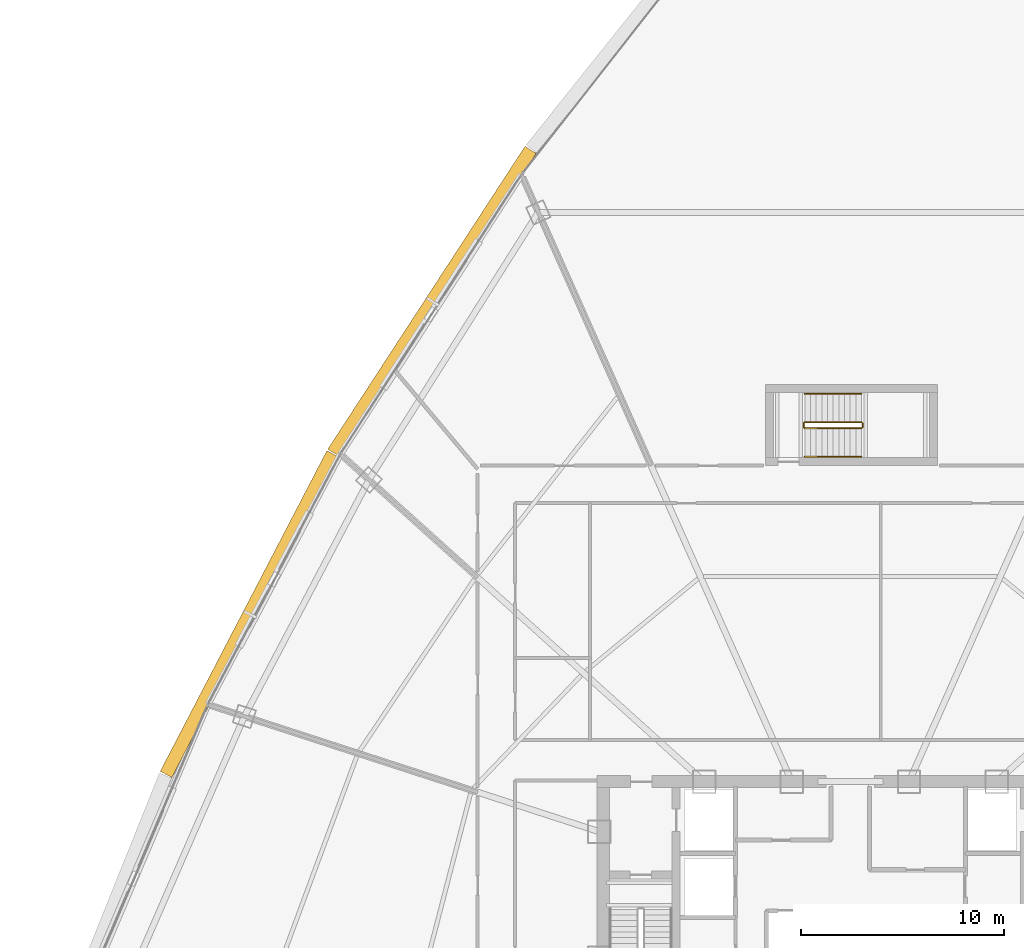
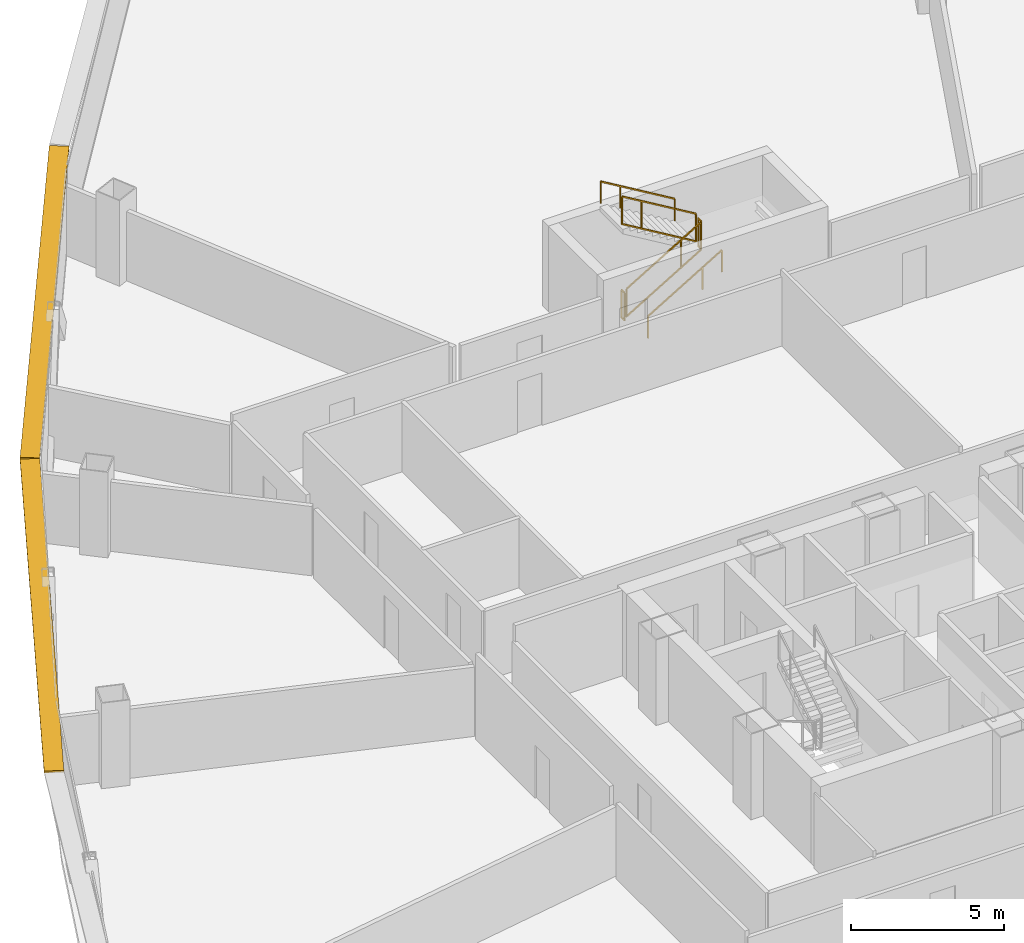
# One storey, part 41 of 42: 6 railings, 2 shading devices.
"""IFC4 building model written with IfcOpenShell, lengths in metres."""

import ifcopenshell
import ifcopenshell.guid

model = None  # the IFC model being written
_history = None  # IfcOwnerHistory: only IFC2X3 demands one
_inside = {}  # id of a spatial element -> (the spatial element, [elements in it])
_under = {}  # id of a project, library or spatial element -> (it, [spatial elements below it])
_declared = {}  # id of a project -> (the project, [libraries it declares])
_typed = {}  # id of a type object -> (the type object, [elements of that type])
_made_of = {}  # id of a material, layer set ... -> (it, [elements and type objects made of it])


def new_model(schema):
    """Start an empty IFC model of exactly this schema.

    Asked for "IFC4X3", IfcOpenShell would pick the latest addendum, in which some entities
    have other attributes; the version numbers below select the first issue.
    IFC2X3 requires an IfcOwnerHistory on every rooted entity: one is made here for all.
    """
    global model, _history
    if schema == "IFC4X3":
        model = ifcopenshell.file(schema_version=(4, 3, 0, 0))
    else:
        model = ifcopenshell.file(schema=schema)
    _inside.clear()
    _under.clear()
    _declared.clear()
    _typed.clear()
    _made_of.clear()
    _history = None
    if model.schema == "IFC2X3":
        org = make("IfcOrganization", Name="unknown")
        user = make(
            "IfcPersonAndOrganization",
            ThePerson=make("IfcPerson", FamilyName="unknown"),
            TheOrganization=org,
        )
        app = make(
            "IfcApplication",
            ApplicationDeveloper=org,
            Version="unknown",
            ApplicationFullName="unknown",
            ApplicationIdentifier="unknown",
        )
        _history = make(
            "IfcOwnerHistory",
            OwningUser=user,
            OwningApplication=app,
            ChangeAction="ADDED",
            CreationDate=0,
        )
    return model


def make(cls, **values):
    """One entity of the class cls with the attributes given. An attribute that is None is left unset."""
    return model.create_entity(
        cls, **{name: value for name, value in values.items() if value is not None}
    )


def rooted(cls, **values):
    """An entity with a GlobalId (a new one), such as an element, a storey or a relation."""
    return make(cls, GlobalId=ifcopenshell.guid.new(), OwnerHistory=_history, **values)


def si_unit(unit_type, name, prefix=None):
    """IfcSIUnit, for example si_unit("LENGTHUNIT", "METRE", prefix="MILLI")."""
    return make("IfcSIUnit", UnitType=unit_type, Prefix=prefix, Name=name)


def assignment(units):
    """IfcUnitAssignment: the units of a project."""
    return None if units is None else make("IfcUnitAssignment", Units=units)


def point(xyz):
    """IfcCartesianPoint."""
    return None if xyz is None else make("IfcCartesianPoint", Coordinates=xyz)


def direction(xyz):
    """IfcDirection."""
    return None if xyz is None else make("IfcDirection", DirectionRatios=xyz)


def frame(location, z_axis=None, x_axis=None):
    """IfcAxis2Placement3D, a coordinate frame: its origin and axes. An axis left out is left unset."""
    return make(
        "IfcAxis2Placement3D",
        Location=point(location),
        Axis=direction(z_axis),
        RefDirection=direction(x_axis),
    )


def frame_2d(location, x_axis=None):
    """IfcAxis2Placement2D, a coordinate frame in the plane: its origin and x axis."""
    return make(
        "IfcAxis2Placement2D", Location=point(location), RefDirection=direction(x_axis)
    )


def origin():
    """The frame at (0, 0, 0) with its axes left unset."""
    return frame((0.0, 0.0, 0.0))


def origin_2d():
    """The frame at (0, 0) in the plane with its x axis left unset."""
    return frame_2d((0.0, 0.0))


def place(relative_to, where):
    """IfcLocalPlacement: puts the frame where relative to a parent placement (None: the world)."""
    return make(
        "IfcLocalPlacement", PlacementRelTo=relative_to, RelativePlacement=where
    )


def context(
    kind, dimensions, precision=None, world=None, true_north=None, identifier=None
):
    """IfcGeometricRepresentationContext, for example the 3D "Model" context."""
    return make(
        "IfcGeometricRepresentationContext",
        ContextIdentifier=identifier,
        ContextType=kind,
        CoordinateSpaceDimension=dimensions,
        Precision=precision,
        WorldCoordinateSystem=world,
        TrueNorth=true_north,
    )


def subcontext(parent, identifier, kind, view, scale=None):
    """IfcGeometricRepresentationSubContext, for example "Body" below "Model"."""
    return make(
        "IfcGeometricRepresentationSubContext",
        ContextIdentifier=identifier,
        ContextType=kind,
        ParentContext=parent,
        TargetScale=scale,
        TargetView=view,
    )


def project(units=None, contexts=None):
    """IfcProject with its units and contexts."""
    return rooted(
        "IfcProject",
        Name="project",
        RepresentationContexts=contexts,
        UnitsInContext=assignment(units),
    )


def spatial(cls, under=None, at=None, **own):
    """A site, building, storey or space (cls), placed at a placement, below another one or the project."""
    s = rooted(cls, ObjectPlacement=at, **own)
    if under is not None:
        _under.setdefault(under.id(), (under, []))[1].append(s)
    return s


def profile(cls, at=None, kind="AREA", **sizes):
    """A parametric profile (cls). Its sizes go by their IFC names, for example OverallWidth=200.0."""
    return make(cls, ProfileType=kind, Position=at, **sizes)


def rectangle(**sizes):
    """IfcRectangleProfileDef."""
    return profile("IfcRectangleProfileDef", **sizes)


def extrude(swept, where, along, depth):
    """IfcExtrudedAreaSolid: the profile swept, set in the frame where, extruded along a direction by depth."""
    return make(
        "IfcExtrudedAreaSolid",
        SweptArea=swept,
        Position=where,
        ExtrudedDirection=direction(along),
        Depth=depth,
    )


def shape(context_of_items, identifier, shape_type, items):
    """IfcShapeRepresentation: the items that make up one representation, for example the "Body"."""
    return make(
        "IfcShapeRepresentation",
        ContextOfItems=context_of_items,
        RepresentationIdentifier=identifier,
        RepresentationType=shape_type,
        Items=items,
    )


def source(mapping_origin, context_of_items, identifier, shape_type, items):
    """IfcRepresentationMap: a shape defined once, which mapped items show again and again."""
    return make(
        "IfcRepresentationMap",
        MappingOrigin=mapping_origin,
        MappedRepresentation=shape(context_of_items, identifier, shape_type, items),
    )


def transform(
    local_origin,
    x_axis=None,
    y_axis=None,
    z_axis=None,
    scale=None,
    scale2=None,
    scale3=None,
    uniform=True,
):
    """IfcCartesianTransformationOperator3D, or its non-uniform kind. x_axis, y_axis, z_axis: its Axis1, 2, 3."""
    if uniform:
        return make(
            "IfcCartesianTransformationOperator3D",
            Axis1=direction(x_axis),
            Axis2=direction(y_axis),
            LocalOrigin=point(local_origin),
            Scale=scale,
            Axis3=direction(z_axis),
        )
    return make(
        "IfcCartesianTransformationOperator3DnonUniform",
        Axis1=direction(x_axis),
        Axis2=direction(y_axis),
        LocalOrigin=point(local_origin),
        Scale=scale,
        Axis3=direction(z_axis),
        Scale2=scale2,
        Scale3=scale3,
    )


def mapped(mapping_source, mapping_target):
    """IfcMappedItem: shows the shape of a source again, moved by a transform."""
    return make(
        "IfcMappedItem", MappingSource=mapping_source, MappingTarget=mapping_target
    )


def material(Name=None, Category=None):
    """IfcMaterial."""
    return make("IfcMaterial", Name=Name, Category=Category)


def layer(
    of_material, thickness, ventilated=None, Name=None, Category=None, Priority=None
):
    """IfcMaterialLayer: one layer of a wall or slab, of a material (None: an air gap)."""
    return make(
        "IfcMaterialLayer",
        Material=of_material,
        LayerThickness=thickness,
        IsVentilated=ventilated,
        Name=Name,
        Category=Category,
        Priority=Priority,
    )


def layer_set(layers, Name=None):
    """IfcMaterialLayerSet."""
    return make("IfcMaterialLayerSet", MaterialLayers=layers, LayerSetName=Name)


def made_of(thing, what):
    """Note that an element or type object is made of a material, layer set ...; save() writes the relation."""
    if what is not None:
        _made_of.setdefault(what.id(), (what, []))[1].append(thing)
    return thing


def type_object(cls, material=None, **own):
    """A type object (cls), such as IfcWallType, which elements share."""
    return made_of(rooted(cls, **own), material)


def element(
    cls,
    number,
    at=None,
    inside=None,
    cuts=None,
    type_object=None,
    material=None,
    context=None,
    identifier="Body",
    shape_type=None,
    held_by="IfcProductDefinitionShape",
    body=None,
    shapes=None,
    **own,
):
    """One element of the class cls, such as IfcWall. Its Tag is "e" and its number.

    at: its placement. inside: the storey or other place that contains it. cuts: it is an
    opening in that element (IfcRelVoidsElement). A single representation is given by context,
    identifier, shape_type and body (its items); several are given by shapes. held_by: the class
    of the entity that holds the representations. save() writes the other relations.
    """
    e = rooted(cls, Tag="e%d" % number, ObjectPlacement=at, **own)
    if body is not None:
        shapes = [shape(context, identifier, shape_type, body)]
    if shapes is not None:
        e.Representation = make(held_by, Representations=shapes)
    if inside is not None:
        _inside.setdefault(inside.id(), (inside, []))[1].append(e)
    if cuts is not None:
        rooted(
            "IfcRelVoidsElement", RelatingBuildingElement=cuts, RelatedOpeningElement=e
        )
    if type_object is not None:
        _typed.setdefault(type_object.id(), (type_object, []))[1].append(e)
    return made_of(e, material)


def aggregate(whole, parts):
    """IfcRelAggregates: a whole, such as a stair, and the parts it consists of."""
    return rooted("IfcRelAggregates", RelatingObject=whole, RelatedObjects=parts)


def save(model, path):
    """Write the relations noted so far, then the file.

    IfcRelAggregates (storeys below a building ...), IfcRelContainedInSpatialStructure (elements
    in a storey), IfcRelDefinesByType, IfcRelAssociatesMaterial and IfcRelDeclares: one each for
    every whole, place, type object, material and project.
    """
    for whole, parts in _under.values():
        aggregate(whole, parts)
    for where, things in _inside.values():
        rooted(
            "IfcRelContainedInSpatialStructure",
            RelatedElements=things,
            RelatingStructure=where,
        )
    for kind, things in _typed.values():
        rooted("IfcRelDefinesByType", RelatedObjects=things, RelatingType=kind)
    for what, things in _made_of.values():
        rooted("IfcRelAssociatesMaterial", RelatedObjects=things, RelatingMaterial=what)
    for by, libraries in _declared.values():
        rooted("IfcRelDeclares", RelatingContext=by, RelatedDefinitions=libraries)
    model.write(path)


model = new_model("IFC4")

# Units and contexts
model_context = context("Model", 3, precision=1e-05, world=origin(), true_north=direction((0.0, 1.0)))
body_context = subcontext(model_context, "Body", "Model", "MODEL_VIEW")
ifc_project = project(units=[si_unit("LENGTHUNIT", "METRE"), si_unit("AREAUNIT", "SQUARE_METRE"), si_unit("VOLUMEUNIT", "CUBIC_METRE"), si_unit("PLANEANGLEUNIT", "RADIAN"), si_unit("MASSUNIT", "GRAM", prefix="KILO"), si_unit("THERMODYNAMICTEMPERATUREUNIT", "KELVIN"), si_unit("POWERUNIT", "WATT")], contexts=[model_context])

# Site, building, storey
site_placement = place(None, origin())
site = spatial("IfcSite", under=ifc_project, at=site_placement, CompositionType="ELEMENT")
building_placement = place(site_placement, origin())
building = spatial("IfcBuilding", under=site, at=building_placement, Name="Yunzhuo Pagoda Commons", CompositionType="ELEMENT")
storey_placement = place(building_placement, frame((0.0, 0.0, 133.510009765625)))
storey = spatial("IfcBuildingStorey", under=building, at=storey_placement, Name="L33", CompositionType="ELEMENT", Elevation=133.510009765625)

# Railings
ifc_material = material(Name="Anodized aluminium 6063-T6", Category="aluminium")
railing_type_1 = type_object("IfcRailingType", Name="GR-ST3 North Well Guardrail 1155", PredefinedType="GUARDRAIL", material=ifc_material)
railing_1_placement = place(storey_placement, frame((45.75, 57.64990234375, 0.167236328125)))
element("IfcRailing", 1, at=railing_1_placement, inside=storey, type_object=railing_type_1, Name="L33 ST3 stair guard 1", PredefinedType="GUARDRAIL", context=body_context, shape_type="SweptSolid", body=[
    extrude(rectangle(XDim=0.048095703125, YDim=0.048095703125, at=origin_2d()), frame((0.0, 0.0, 1.1259765625), z_axis=(0.858462256164, 0.0, 0.512876744201), x_axis=(0.0, 1.0, 0.0)), (0.0, 0.0, 1.0), 3.26171875),
    extrude(rectangle(XDim=0.048095703125, YDim=0.048095703125, at=origin_2d()), frame((0.0, 0.0, 0.02392578125), z_axis=(0.858462256164, 0.0, 0.512876744201), x_axis=(0.0, 1.0, 0.0)), (0.0, 0.0, 1.0), 3.26171875),
    extrude(rectangle(XDim=0.0419921875, YDim=0.0419921875, at=origin_2d()), origin(), (0.0, 0.0, 1.0), 1.101806640625),
    extrude(rectangle(XDim=0.0419921875, YDim=0.0419921875, at=origin_2d()), frame((2.060302734375, 0.0, 1.23095703125)), (0.0, 0.0, 1.0), 1.101806640625),
    extrude(rectangle(XDim=0.0419921875, YDim=0.0419921875, at=origin_2d()), frame((2.800048828125, 0.0, 1.6728515625)), (0.0, 0.0, 1.0), 1.101806640625),
])
railing_2_placement = place(storey_placement, frame((48.60009765625, 57.699951171875, 1.840087890625)))
element("IfcRailing", 2, at=railing_2_placement, inside=storey, type_object=railing_type_1, Name="L33 ST3 stair guard 2", PredefinedType="GUARDRAIL", context=body_context, shape_type="SweptSolid", body=[
    extrude(rectangle(XDim=0.048095703125, YDim=0.048095703125, at=origin_2d()), frame((0.0, 0.0, 1.1259765625), z_axis=(0.0, 1.0, 0.0), x_axis=(-1.0, 0.0, 0.0)), (0.0, 0.0, 1.0), 0.199951171875),
    extrude(rectangle(XDim=0.048095703125, YDim=0.048095703125, at=origin_2d()), frame((0.0, 0.0, 0.02392578125), z_axis=(0.0, 1.0, 0.0), x_axis=(-1.0, 0.0, 0.0)), (0.0, 0.0, 1.0), 0.199951171875),
    extrude(rectangle(XDim=0.0419921875, YDim=0.0419921875, at=origin_2d()), origin(), (0.0, 0.0, 1.0), 1.101806640625),
    extrude(rectangle(XDim=0.0419921875, YDim=0.0419921875, at=origin_2d()), frame((0.0, 0.199951171875, 0.0)), (0.0, 0.0, 1.0), 1.101806640625),
])
railing_3_placement = place(storey_placement, frame((48.550048828125, 57.949951171875, 2.00732421875)))
element("IfcRailing", 3, at=railing_3_placement, inside=storey, type_object=railing_type_1, Name="L33 ST3 stair guard 3", PredefinedType="GUARDRAIL", context=body_context, shape_type="SweptSolid", body=[
    extrude(rectangle(XDim=0.048095703125, YDim=0.048095703125, at=origin_2d()), frame((0.0, 0.0, 1.1259765625), z_axis=(-0.858495211305, 0.0, 0.512821579271), x_axis=(0.0, -1.0, 0.0)), (0.0, 0.0, 1.0), 3.261474609375),
    extrude(rectangle(XDim=0.048095703125, YDim=0.048095703125, at=origin_2d()), frame((0.0, 0.0, 0.02392578125), z_axis=(-0.858495211305, 0.0, 0.512821579271), x_axis=(0.0, -1.0, 0.0)), (0.0, 0.0, 1.0), 3.261474609375),
    extrude(rectangle(XDim=0.0419921875, YDim=0.0419921875, at=origin_2d()), origin(), (0.0, 0.0, 1.0), 1.101806640625),
    extrude(rectangle(XDim=0.0419921875, YDim=0.0419921875, at=origin_2d()), frame((-2.060302734375, 0.0, 1.230712890625)), (0.0, 0.0, 1.0), 1.101806640625),
    extrude(rectangle(XDim=0.0419921875, YDim=0.0419921875, at=origin_2d()), frame((-2.800048828125, 0.0, 1.672607421875)), (0.0, 0.0, 1.0), 1.101806640625),
])
railing_4_placement = place(storey_placement, frame((45.699951171875, 57.699951171875, 0.0)))
element("IfcRailing", 4, at=railing_4_placement, inside=storey, type_object=railing_type_1, Name="L33 ST3 stair guard 4", PredefinedType="GUARDRAIL", context=body_context, shape_type="SweptSolid", body=[
    extrude(rectangle(XDim=0.048095703125, YDim=0.048095703125, at=origin_2d()), frame((0.0, 0.0, 1.1259765625), z_axis=(0.0, 1.0, 0.0), x_axis=(-1.0, 0.0, 0.0)), (0.0, 0.0, 1.0), 0.199951171875),
    extrude(rectangle(XDim=0.048095703125, YDim=0.048095703125, at=origin_2d()), frame((0.0, 0.0, 0.02392578125), z_axis=(0.0, 1.0, 0.0), x_axis=(-1.0, 0.0, 0.0)), (0.0, 0.0, 1.0), 0.199951171875),
    extrude(rectangle(XDim=0.0419921875, YDim=0.0419921875, at=origin_2d()), origin(), (0.0, 0.0, 1.0), 1.101806640625),
    extrude(rectangle(XDim=0.0419921875, YDim=0.0419921875, at=origin_2d()), frame((0.0, 0.199951171875, 0.0)), (0.0, 0.0, 1.0), 1.101806640625),
])
railing_type_2 = type_object("IfcRailingType", Name="HR-ST3 North Stair Handrail 900", PredefinedType="HANDRAIL", material=ifc_material)
railing_5_placement = place(storey_placement, frame((45.75, 56.25, 0.167236328125)))
element("IfcRailing", 5, at=railing_5_placement, inside=storey, type_object=railing_type_2, Name="L33 ST3 stair handrail 1", PredefinedType="HANDRAIL", context=body_context, shape_type="SweptSolid", body=[
    extrude(rectangle(XDim=0.048095703125, YDim=0.048095703125, at=origin_2d()), frame((0.0, 0.0, 0.8759765625), z_axis=(0.858462256164, 0.0, 0.512876744201), x_axis=(0.0, 1.0, 0.0)), (0.0, 0.0, 1.0), 3.26171875),
    extrude(rectangle(XDim=0.0419921875, YDim=0.0419921875, at=origin_2d()), origin(), (0.0, 0.0, 1.0), 0.851806640625),
    extrude(rectangle(XDim=0.0419921875, YDim=0.0419921875, at=origin_2d()), frame((2.060302734375, 0.0, 1.23095703125)), (0.0, 0.0, 1.0), 0.851806640625),
    extrude(rectangle(XDim=0.0419921875, YDim=0.0419921875, at=origin_2d()), frame((2.800048828125, 0.0, 1.6728515625)), (0.0, 0.0, 1.0), 0.851806640625),
])
railing_6_placement = place(storey_placement, frame((48.550048828125, 59.35009765625, 2.00732421875)))
element("IfcRailing", 6, at=railing_6_placement, inside=storey, type_object=railing_type_2, Name="L33 ST3 stair handrail 2", PredefinedType="HANDRAIL", context=body_context, shape_type="SweptSolid", body=[
    extrude(rectangle(XDim=0.048095703125, YDim=0.048095703125, at=origin_2d()), frame((0.0, 0.0, 0.8759765625), z_axis=(-0.858495211305, 0.0, 0.512821579271), x_axis=(0.0, -1.0, 0.0)), (0.0, 0.0, 1.0), 3.261474609375),
    extrude(rectangle(XDim=0.0419921875, YDim=0.0419921875, at=origin_2d()), origin(), (0.0, 0.0, 1.0), 0.851806640625),
    extrude(rectangle(XDim=0.0419921875, YDim=0.0419921875, at=origin_2d()), frame((-2.060302734375, 0.0, 1.230712890625)), (0.0, 0.0, 1.0), 0.851806640625),
    extrude(rectangle(XDim=0.0419921875, YDim=0.0419921875, at=origin_2d()), frame((-2.800048828125, 0.0, 1.672607421875)), (0.0, 0.0, 1.0), 0.851806640625),
])

# Shading devices
ifc_layer = layer(ifc_material, 0.080078125)
ifc_layer_set = layer_set([ifc_layer], Name="Anodized aluminium 6063-T6")
shading_device_type = type_object("IfcShadingDeviceType", Name="SH-SUN1 Pagoda Horizontal Sunshade Eave 650", PredefinedType="USERDEFINED", material=ifc_layer_set)
shared_shape = source(origin(), body_context, "Body", "SweptSolid", [
    extrude(rectangle(XDim=17.840087890625, YDim=0.64990234375, at=origin_2d()), origin(), (0.0, 0.0, 1.0), 0.080078125),
])
for number, where, z_axis, x_axis, name in (
    (7, (27.344482421875, 63.915771484375, 3.33984375), (0.0, 0.0, 1.0), (-0.545838756973, -0.837890238269, 0.0), "L33 horizontal pagoda sunshade eave F3.2"),
    (8, (18.32958984375, 48.472412109375, 3.33984375), (0.0, 0.0, 1.0), (-0.461206683033, -0.88729273384, 0.0), "L33 horizontal pagoda sunshade eave F3.3"),
):
    element("IfcShadingDevice", number, at=place(storey_placement, frame(where, z_axis=z_axis, x_axis=x_axis)), inside=storey, type_object=shading_device_type, Name=name, ObjectType="SUNSHADE", PredefinedType="USERDEFINED", context=body_context, shape_type="MappedRepresentation", body=[
        mapped(shared_shape, transform((0.0, 0.0, 0.0), scale=1.0)),
    ])

save(model, "model.ifc")
